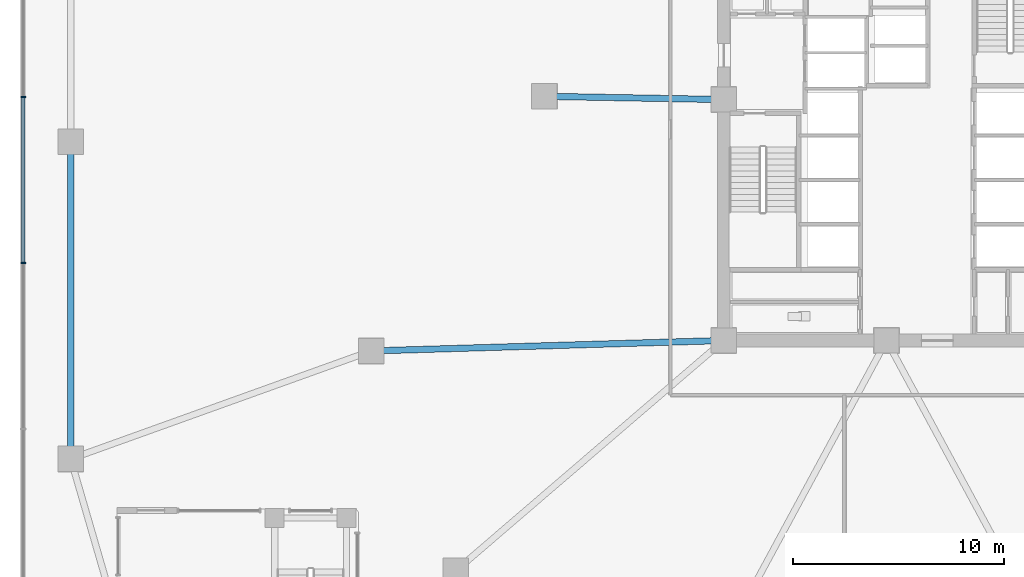
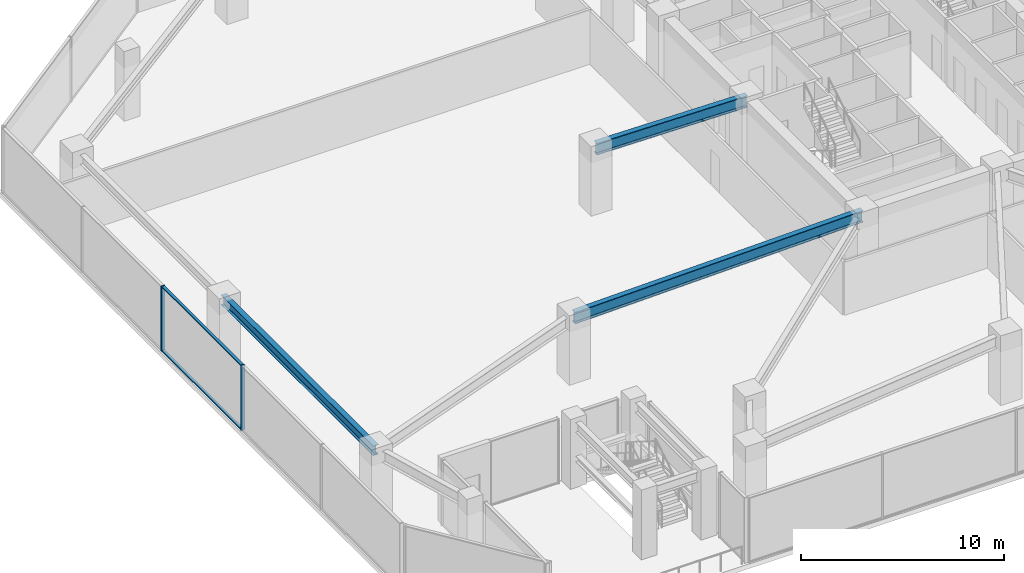
# One storey, part 3 of 21: 4 members, 3 beams, 1 element without a shape of its own.
"""IFC4 building model written with IfcOpenShell, lengths in metres."""

from ifc_helpers import new_model, si_unit, direction, frame, origin, origin_2d, place, context, subcontext, project, spatial, rectangle, i_section, extrude, material, material_profile, profile_set, type_object, element, aggregate, save


model = new_model("IFC4")

# Units and contexts
model_context = context("Model", 3, precision=1e-05, world=origin(), true_north=direction((0.0, 1.0)))
body_context = subcontext(model_context, "Body", "Model", "MODEL_VIEW")
ifc_project = project(units=[si_unit("LENGTHUNIT", "METRE"), si_unit("AREAUNIT", "SQUARE_METRE"), si_unit("VOLUMEUNIT", "CUBIC_METRE"), si_unit("PLANEANGLEUNIT", "RADIAN"), si_unit("MASSUNIT", "GRAM", prefix="KILO")], contexts=[model_context])

# Site, building, storey
site_placement = place(None, origin())
site = spatial("IfcSite", under=ifc_project, at=site_placement, CompositionType="ELEMENT")
building_placement = place(site_placement, origin())
building = spatial("IfcBuilding", under=site, at=building_placement, Name="Savorim Split Tower", CompositionType="ELEMENT")
storey_placement = place(building_placement, frame((0.0, 0.0, 5.0)))
storey = spatial("IfcBuildingStorey", under=building, at=storey_placement, Name="L01", CompositionType="ELEMENT", Elevation=5.0)

# Beams
ifc_material_1 = material(Name="Steel S355", Category="steel")
ifc_material_profile_1 = material_profile(ifc_material_1, i_section(OverallWidth=0.300048828125, OverallDepth=0.699951171875, WebThickness=0.01708984375, FlangeThickness=0.031982421875, FilletRadius=0.027099609375, at=origin_2d()), Name="HEB 700")
ifc_profile_set_1 = profile_set([ifc_material_profile_1], Name="Steel S355")
beam_type_1 = type_object("IfcBeamType", Name="BM-PRI-HEB700", PredefinedType="BEAM", material=ifc_profile_set_1)
beam_1_placement = place(storey_placement, frame((-16.1884765625, 2.15380859375, 3.570068359375), z_axis=(0.999835880654, -0.018116615514, 0.0), x_axis=(0.018116615514, 0.999835880654, 0.0)))
element("IfcBeam", 1, at=beam_1_placement, inside=storey, type_object=beam_type_1, Name="L01 Podium Primary Girder BG-30", PredefinedType="BEAM", context=body_context, shape_type="SweptSolid", body=[
    extrude(i_section(OverallWidth=0.300048828125, OverallDepth=0.699951171875, WebThickness=0.01708984375, FlangeThickness=0.031982421875, FilletRadius=0.027099609375, at=origin_2d()), origin(), (0.0, 0.0, 1.0), 8.489990234375),
])
beam_2_placement = place(storey_placement, frame((-24.384521484375, -9.894287109375, 3.570068359375), z_axis=(0.999561283227, 0.029618255758, 0.0), x_axis=(-0.029618255758, 0.999561283227, 0.0)))
element("IfcBeam", 2, at=beam_2_placement, inside=storey, type_object=beam_type_1, Name="L01 Podium Primary Girder BG-31", PredefinedType="BEAM", context=body_context, shape_type="SweptSolid", body=[
    extrude(i_section(OverallWidth=0.300048828125, OverallDepth=0.699951171875, WebThickness=0.01708984375, FlangeThickness=0.031982421875, FilletRadius=0.027099609375, at=origin_2d()), origin(), (0.0, 0.0, 1.0), 16.69189453125),
])
ifc_material_profile_2 = material_profile(ifc_material_1, i_section(OverallWidth=0.300048828125, OverallDepth=0.590087890625, WebThickness=0.012939453125, FlangeThickness=0.02490234375, FilletRadius=0.027099609375, at=origin_2d()), Name="HEA 600")
ifc_profile_set_2 = profile_set([ifc_material_profile_2], Name="Steel S355")
beam_type_2 = type_object("IfcBeamType", Name="BM-SPN-HEA600", PredefinedType="SPANDREL", material=ifc_profile_set_2)
beam_3_placement = place(storey_placement, frame((-38.60009765625, 0.0, 3.625), z_axis=(0.0, -1.0, 0.0), x_axis=(1.0, 0.0, 0.0)))
element("IfcBeam", 3, at=beam_3_placement, inside=storey, type_object=beam_type_2, Name="L01 Podium Spandrel Beam 11", PredefinedType="SPANDREL", context=body_context, shape_type="SweptSolid", body=[
    extrude(i_section(OverallWidth=0.300048828125, OverallDepth=0.590087890625, WebThickness=0.012939453125, FlangeThickness=0.02490234375, FilletRadius=0.027099609375, at=origin_2d()), origin(), (0.0, 0.0, 1.0), 15.0),
])

# Curtain wall, members
ifc_material_2 = material(Name="Dark Ceramic-Fritted Insulated Glass", Category="glass")
curtain_wall_type = type_object("IfcCurtainWallType", Name="CW-POD-GLZ", PredefinedType="NOTDEFINED", material=ifc_material_2)
curtain_wall_placement = place(storey_placement, origin())
curtain_wall = element("IfcCurtainWall", 4, at=curtain_wall_placement, inside=storey, type_object=curtain_wall_type, Name="L01 Curtain Wall CW-L01-E10", PredefinedType="NOTDEFINED")
ifc_material_3 = material(Name="Charcoal Anodised Aluminium", Category="aluminium")
ifc_material_profile_3 = material_profile(ifc_material_3, rectangle(XDim=0.219970703125, YDim=0.070068359375, at=origin_2d()), Name="ALU-M 220x70")
ifc_profile_set_3 = profile_set([ifc_material_profile_3], Name="Charcoal Anodised Aluminium")
member_type_1 = type_object("IfcMemberType", Name="CWM-220x70", PredefinedType="MULLION", material=ifc_profile_set_3)
member_1_placement = place(storey_placement, frame((-40.840087890625, 2.132080078125, 0.0), z_axis=(0.0, 0.0, 1.0), x_axis=(1.0, 0.0, 0.0)))
member_1 = element("IfcMember", 5, at=member_1_placement, type_object=member_type_1, Name="CW-01 mullion 3", PredefinedType="MULLION", context=body_context, shape_type="SweptSolid", body=[
    extrude(rectangle(XDim=0.219970703125, YDim=0.070068359375, at=origin_2d()), origin(), (0.0, 0.0, 1.0), 3.919921875),
])
member_2_placement = place(storey_placement, frame((-40.840087890625, -5.73193359375, 0.0), z_axis=(0.0, 0.0, 1.0), x_axis=(1.0, 0.0, 0.0)))
member_2 = element("IfcMember", 6, at=member_2_placement, type_object=member_type_1, Name="CW-01 mullion 4", PredefinedType="MULLION", context=body_context, shape_type="SweptSolid", body=[
    extrude(rectangle(XDim=0.219970703125, YDim=0.070068359375, at=origin_2d()), origin(), (0.0, 0.0, 1.0), 3.919921875),
])
ifc_material_profile_4 = material_profile(ifc_material_3, rectangle(XDim=0.159912109375, YDim=0.06005859375, at=origin_2d()), Name="ALU-T 160x60")
ifc_profile_set_4 = profile_set([ifc_material_profile_4], Name="Charcoal Anodised Aluminium")
member_type_2 = type_object("IfcMemberType", Name="CWT-160x60", PredefinedType="USERDEFINED", material=ifc_profile_set_4)
member_3_placement = place(storey_placement, frame((-40.840087890625, 2.096923828125, 0.030029296875), z_axis=(0.0, -1.0, 0.0), x_axis=(1.0, 0.0, 0.0)))
member_3 = element("IfcMember", 7, at=member_3_placement, type_object=member_type_2, Name="CW-01 transom 3.1", ObjectType="TRANSOM", PredefinedType="USERDEFINED", context=body_context, shape_type="SweptSolid", body=[
    extrude(rectangle(XDim=0.159912109375, YDim=0.06005859375, at=origin_2d()), origin(), (0.0, 0.0, 1.0), 7.7939453125),
])
member_4_placement = place(storey_placement, frame((-40.840087890625, 2.096923828125, 3.889892578125), z_axis=(0.0, -1.0, 0.0), x_axis=(1.0, 0.0, 0.0)))
member_4 = element("IfcMember", 8, at=member_4_placement, type_object=member_type_2, Name="CW-01 transom 3.2", ObjectType="TRANSOM", PredefinedType="USERDEFINED", context=body_context, shape_type="SweptSolid", body=[
    extrude(rectangle(XDim=0.159912109375, YDim=0.06005859375, at=origin_2d()), origin(), (0.0, 0.0, 1.0), 7.7939453125),
])
aggregate(curtain_wall, [member_1, member_2, member_3, member_4])

save(model, "model.ifc")
